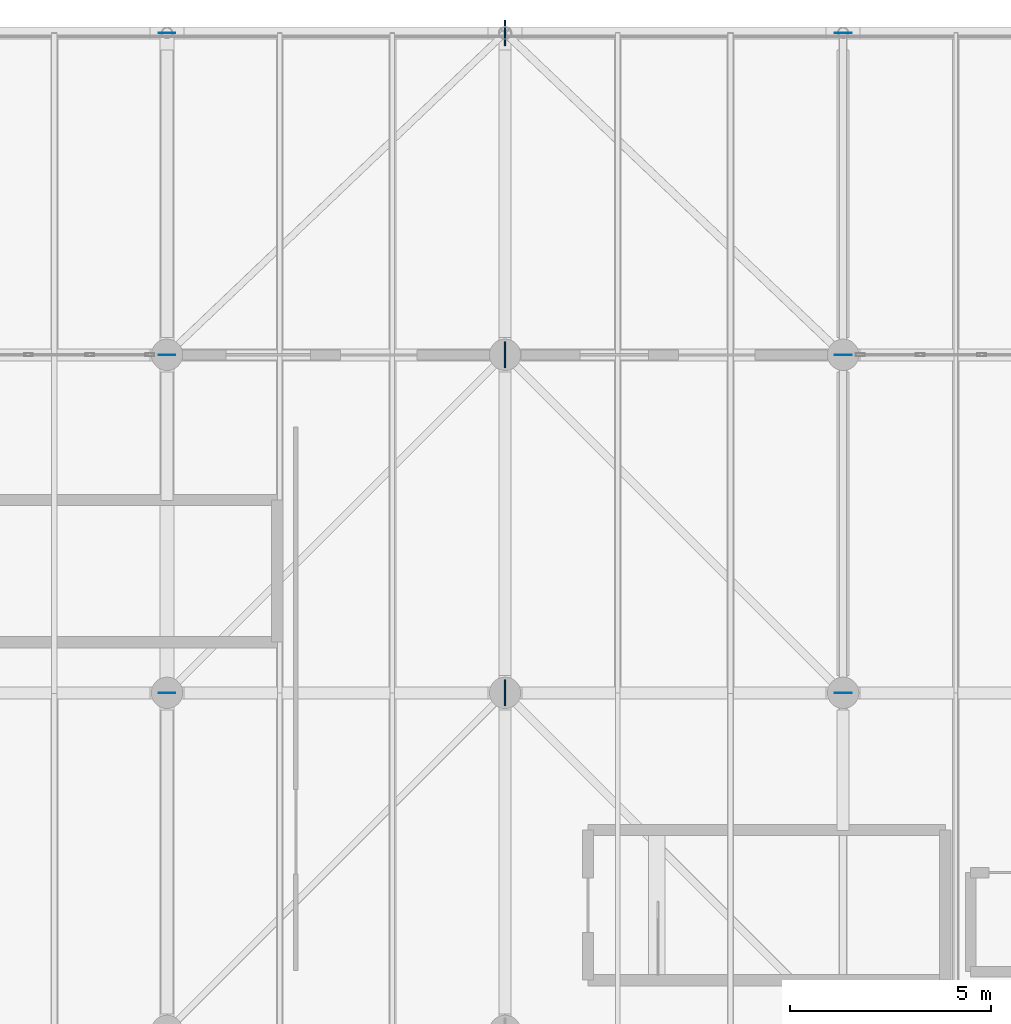
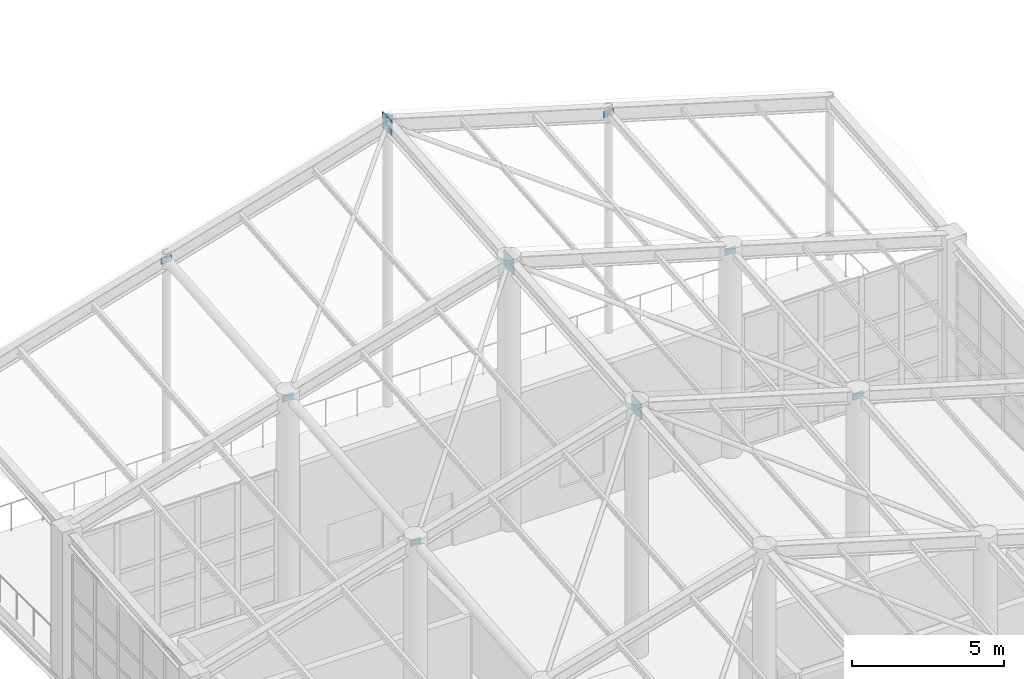
# One storey, part 77 of 95: 9 plates.
"""IFC4 building model written with IfcOpenShell, lengths in metres."""

from ifc_helpers import new_model, si_unit, direction, frame, origin, origin_2d, place, context, subcontext, project, spatial, rectangle, extrude, material, layer, layer_set, type_object, element, save


model = new_model("IFC4")

# Units and contexts
model_context = context("Model", 3, precision=1e-05, world=origin(), true_north=direction((0.0, 1.0)))
body_context = subcontext(model_context, "Body", "Model", "MODEL_VIEW")
ifc_project = project(units=[si_unit("LENGTHUNIT", "METRE"), si_unit("AREAUNIT", "SQUARE_METRE"), si_unit("VOLUMEUNIT", "CUBIC_METRE"), si_unit("PLANEANGLEUNIT", "RADIAN"), si_unit("MASSUNIT", "GRAM", prefix="KILO"), si_unit("THERMODYNAMICTEMPERATUREUNIT", "KELVIN"), si_unit("POWERUNIT", "WATT")], contexts=[model_context])

# Site, building, storey
site_placement = place(None, origin())
site = spatial("IfcSite", under=ifc_project, at=site_placement, CompositionType="ELEMENT")
building_placement = place(site_placement, origin())
building = spatial("IfcBuilding", under=site, at=building_placement, Name="Mavoryth Pier Ferry Terminal", CompositionType="ELEMENT")
storey_placement = place(building_placement, frame((0.0, 0.0, 9.60009765625)))
storey = spatial("IfcBuildingStorey", under=building, at=storey_placement, Name="L02", CompositionType="ELEMENT", Elevation=9.60009765625)

# Plates
ifc_material = material(Name="Steel S355J2", Category="steel")
ifc_layer_1 = layer(ifc_material, 0.030029296875, Name="Steel S355J2", Category="steel")
ifc_layer_set_1 = layer_set([ifc_layer_1], Name="Steel S355J2 - Plate-Gusset-640x640x30")
plate_type_1 = type_object("IfcPlateType", Name="Plate-Gusset-640x640x30", PredefinedType="SHEET", material=ifc_layer_set_1)
for number, where, z_axis, x_axis, name in (
    (1, (16.800048828125, 97.60009765625, 9.52880859375), (0.0, 0.0, 1.0), (0.0, 1.0, 0.0), "Steel Node Plate PL-L02-0028"),
    (2, (16.800048828125, 106.0, 10.2431640625), (0.0, 0.0, 1.0), (0.0, 1.0, 0.0), "Steel Node Plate PL-L02-0031"),
    (3, (16.800048828125, 114.0, 10.92333984375), (0.0, 0.0, 1.0), (0.0, 1.0, 0.0), "Steel Node Plate PL-L02-0034"),
):
    element("IfcPlate", number, at=place(storey_placement, frame(where, z_axis=z_axis, x_axis=x_axis)), inside=storey, type_object=plate_type_1, Name=name, PredefinedType="SHEET", context=body_context, shape_type="SweptSolid", body=[
        extrude(rectangle(XDim=0.639892578125, YDim=0.030029296875, at=origin_2d()), origin(), (0.0, 0.0, 1.0), 0.639892578125),
    ])
ifc_layer_2 = layer(ifc_material, 0.013916015625, Name="Steel S355J2", Category="steel")
ifc_layer_set_2 = layer_set([ifc_layer_2], Name="Steel S355J2 - Plate-Stiffener-420x260x14")
plate_type_2 = type_object("IfcPlateType", Name="Plate-Stiffener-420x260x14", PredefinedType="USERDEFINED", material=ifc_layer_set_2)
for number, where, z_axis, x_axis, name in (
    (4, (8.39990234375, 97.60009765625, 7.23046875), (0.0, 0.0, 1.0), (1.0, 0.0, 0.0), "Steel Node Plate PL-L02-0029"),
    (5, (25.199951171875, 97.60009765625, 7.23046875), (0.0, 0.0, 1.0), (1.0, 0.0, 0.0), "Steel Node Plate PL-L02-0030"),
    (6, (8.39990234375, 106.0, 7.94482421875), (0.0, 0.0, 1.0), (1.0, 0.0, 0.0), "Steel Node Plate PL-L02-0032"),
    (7, (25.199951171875, 106.0, 7.94482421875), (0.0, 0.0, 1.0), (1.0, 0.0, 0.0), "Steel Node Plate PL-L02-0033"),
    (8, (8.39990234375, 114.0, 8.625), (0.0, 0.0, 1.0), (1.0, 0.0, 0.0), "Steel Node Plate PL-L02-0035"),
    (9, (25.199951171875, 114.0, 8.625), (0.0, 0.0, 1.0), (1.0, 0.0, 0.0), "Steel Node Plate PL-L02-0036"),
):
    element("IfcPlate", number, at=place(storey_placement, frame(where, z_axis=z_axis, x_axis=x_axis)), inside=storey, type_object=plate_type_2, Name=name, ObjectType="STIFFENER PLATE", PredefinedType="USERDEFINED", context=body_context, shape_type="SweptSolid", body=[
        extrude(rectangle(XDim=0.419921875, YDim=0.013916015625, at=origin_2d()), origin(), (0.0, 0.0, 1.0), 0.260009765625),
    ])

save(model, "model.ifc")
